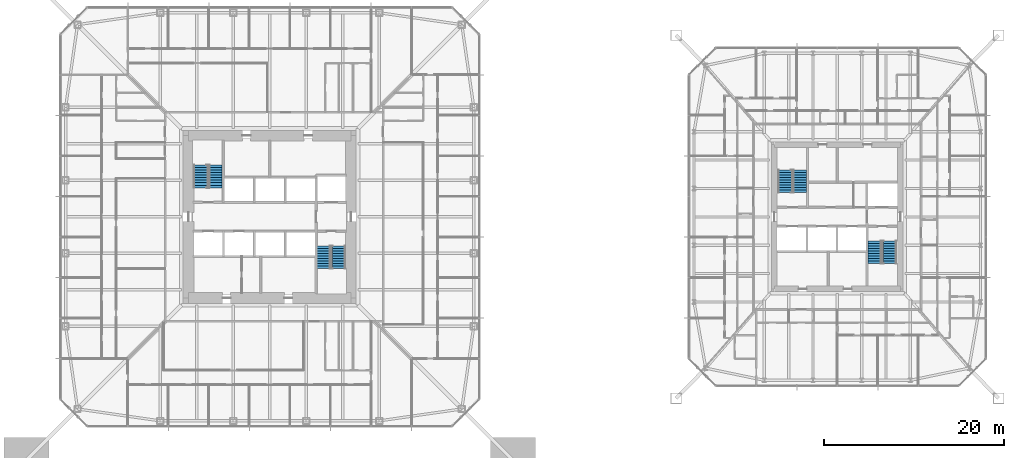
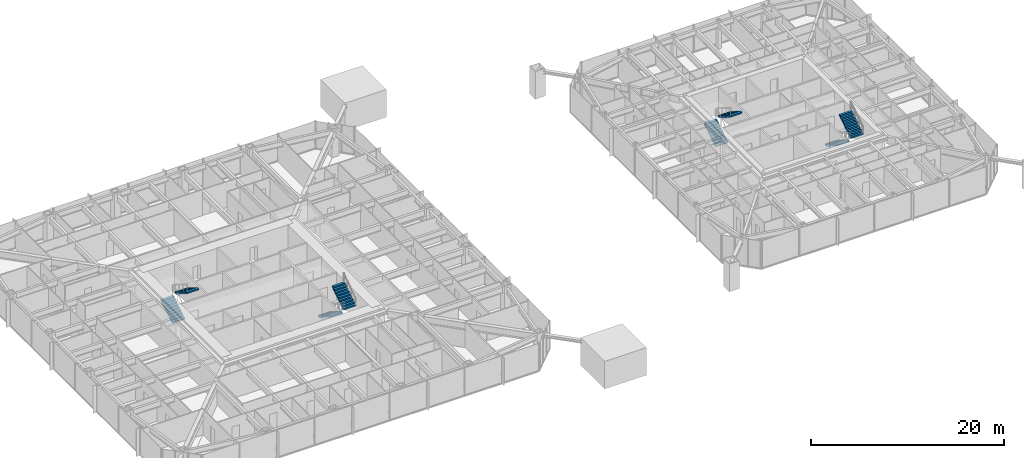
# One storey, part 22 of 26: 8 stair flights, 4 elements without a shape of their own.
"""IFC4 building model written with IfcOpenShell, lengths in metres."""

from ifc_helpers import new_model, si_unit, direction, frame, origin, place, context, subcontext, project, spatial, polyline, outline, extrude, material, constituent, constituent_set, type_object, element, aggregate, save


model = new_model("IFC4")

# Units and contexts
model_context = context("Model", 3, precision=1e-05, world=origin(), true_north=direction((0.0, 1.0)))
body_context = subcontext(model_context, "Body", "Model", "MODEL_VIEW")
ifc_project = project(units=[si_unit("LENGTHUNIT", "METRE"), si_unit("AREAUNIT", "SQUARE_METRE"), si_unit("VOLUMEUNIT", "CUBIC_METRE"), si_unit("PLANEANGLEUNIT", "RADIAN"), si_unit("MASSUNIT", "GRAM", prefix="KILO")], contexts=[model_context])

# Site, building, storey
site_placement = place(None, origin())
site = spatial("IfcSite", under=ifc_project, at=site_placement, CompositionType="ELEMENT")
building_placement = place(site_placement, origin())
building = spatial("IfcBuilding", under=site, at=building_placement, Name="Iwan Alto Co-Living Towers", CompositionType="ELEMENT")
storey_placement = place(building_placement, frame((0.0, 0.0, 29.0)))
storey = spatial("IfcBuildingStorey", under=building, at=storey_placement, Name="L07", CompositionType="ELEMENT", Elevation=29.0)

# Stair, stair flights
ifc_material_1 = material(Name="Steel ASTM A36", Category="steel")
ifc_constituent_1 = constituent(ifc_material_1, Name="Stringers", Category="LoadBearing")
ifc_material_2 = material(Name="Concrete f'c 30 MPa", Category="concrete")
ifc_constituent_2 = constituent(ifc_material_2, Name="Tread fill", Category="Finish")
ifc_constituent_set_1 = constituent_set(constituents=[ifc_constituent_1, ifc_constituent_2], Name="STAIR 3500 TWO-FLIGHT T1 CORE")
stair_type_1 = type_object("IfcStairType", Name="STAIR 3500 TWO-FLIGHT T1 CORE", PredefinedType="HALF_TURN_STAIR", material=ifc_constituent_set_1)
stair_1_placement = place(storey_placement, origin())
stair_1 = element("IfcStair", 1, at=stair_1_placement, inside=storey, type_object=stair_type_1, Name="Stair T1-S1 L07 to L08", PredefinedType="HALF_TURN_STAIR")
ifc_constituent_3 = constituent(ifc_material_1, Name="Stringers", Category="LoadBearing")
ifc_constituent_4 = constituent(ifc_material_2, Name="Tread fill", Category="Finish")
ifc_constituent_set_2 = constituent_set(constituents=[ifc_constituent_3, ifc_constituent_4], Name="STAIR FLIGHT 10 RISERS 280 GOING")
stair_flight_type = type_object("IfcStairFlightType", Name="STAIR FLIGHT 10 RISERS 280 GOING", PredefinedType="STRAIGHT", material=ifc_constituent_set_2)
stair_flight_1_placement = place(storey_placement, frame((-7.68994140625, 3.219970703125, 0.0), z_axis=(0.0, 0.0, 1.0), x_axis=(0.0, 1.0, 0.0)))
stair_flight_1 = element("IfcStairFlight", 2, at=stair_flight_1_placement, type_object=stair_flight_type, Name="T1-S1 flight 1", NumberOfRisers=10, NumberOfTreads=9, PredefinedType="STRAIGHT", RiserHeight=0.175, TreadLength=0.28, context=body_context, shape_type="SweptSolid", body=[
    extrude(outline(polyline([(0.0, 0.0), (0.0, 0.175048828125), (0.280029296875, 0.175048828125), (0.280029296875, 0.35009765625), (0.56005859375, 0.35009765625), (0.56005859375, 0.52490234375), (0.840087890625, 0.52490234375), (0.840087890625, 0.699951171875), (1.1201171875, 0.699951171875), (1.1201171875, 0.875), (1.39990234375, 0.875), (1.39990234375, 1.050048828125), (1.679931640625, 1.050048828125), (1.679931640625, 1.22509765625), (1.9599609375, 1.22509765625), (1.9599609375, 1.39990234375), (2.239990234375, 1.39990234375), (2.239990234375, 1.574951171875), (2.52001953125, 1.574951171875), (2.52001953125, 1.75), (2.52001953125, 1.398193359375), (0.28271484375, 0.0), (0.0, 0.0)])), frame((0.0, 0.739990234375, 0.0), z_axis=(0.0, -1.0, 0.0), x_axis=(1.0, 0.0, 0.0)), (0.0, 0.0, 1.0), 1.47998046875),
])
stair_flight_2_placement = place(storey_placement, frame((-6.010009765625, 5.739990234375, 1.75), z_axis=(0.0, 0.0, 1.0), x_axis=(0.0, -1.0, 0.0)))
stair_flight_2 = element("IfcStairFlight", 3, at=stair_flight_2_placement, type_object=stair_flight_type, Name="T1-S1 flight 2", NumberOfRisers=10, NumberOfTreads=9, PredefinedType="STRAIGHT", RiserHeight=0.175, TreadLength=0.28, context=body_context, shape_type="SweptSolid", body=[
    extrude(outline(polyline([(0.0, 0.0), (0.0, 0.175048828125), (0.280029296875, 0.175048828125), (0.280029296875, 0.35009765625), (0.56005859375, 0.35009765625), (0.56005859375, 0.52490234375), (0.840087890625, 0.52490234375), (0.840087890625, 0.699951171875), (1.1201171875, 0.699951171875), (1.1201171875, 0.875), (1.39990234375, 0.875), (1.39990234375, 1.050048828125), (1.679931640625, 1.050048828125), (1.679931640625, 1.22509765625), (1.9599609375, 1.22509765625), (1.9599609375, 1.39990234375), (2.239990234375, 1.39990234375), (2.239990234375, 1.574951171875), (2.52001953125, 1.574951171875), (2.52001953125, 1.75), (2.52001953125, 1.398193359375), (0.28271484375, 0.0), (0.0, 0.0)])), frame((0.0, 0.739990234375, 0.0), z_axis=(0.0, -1.0, 0.0), x_axis=(1.0, 0.0, 0.0)), (0.0, 0.0, 1.0), 1.47998046875),
])
aggregate(stair_1, [stair_flight_1, stair_flight_2])

stair_2_placement = place(storey_placement, origin())
stair_2 = element("IfcStair", 4, at=stair_2_placement, inside=storey, type_object=stair_type_1, Name="Stair T1-S2 L07 to L08", PredefinedType="HALF_TURN_STAIR")
stair_flight_3_placement = place(storey_placement, frame((6.010009765625, -3.219970703125, 0.0), z_axis=(0.0, 0.0, 1.0), x_axis=(0.0, -1.0, 0.0)))
stair_flight_3 = element("IfcStairFlight", 5, at=stair_flight_3_placement, type_object=stair_flight_type, Name="T1-S2 flight 1", NumberOfRisers=10, NumberOfTreads=9, PredefinedType="STRAIGHT", RiserHeight=0.175, TreadLength=0.28, context=body_context, shape_type="SweptSolid", body=[
    extrude(outline(polyline([(0.0, 0.0), (0.0, 0.175048828125), (0.280029296875, 0.175048828125), (0.280029296875, 0.35009765625), (0.56005859375, 0.35009765625), (0.56005859375, 0.52490234375), (0.840087890625, 0.52490234375), (0.840087890625, 0.699951171875), (1.1201171875, 0.699951171875), (1.1201171875, 0.875), (1.39990234375, 0.875), (1.39990234375, 1.050048828125), (1.679931640625, 1.050048828125), (1.679931640625, 1.22509765625), (1.9599609375, 1.22509765625), (1.9599609375, 1.39990234375), (2.239990234375, 1.39990234375), (2.239990234375, 1.574951171875), (2.52001953125, 1.574951171875), (2.52001953125, 1.75), (2.52001953125, 1.398193359375), (0.28271484375, 0.0), (0.0, 0.0)])), frame((0.0, 0.739990234375, 0.0), z_axis=(0.0, -1.0, 0.0), x_axis=(1.0, 0.0, 0.0)), (0.0, 0.0, 1.0), 1.47998046875),
])
stair_flight_4_placement = place(storey_placement, frame((7.68994140625, -5.739990234375, 1.75), z_axis=(0.0, 0.0, 1.0), x_axis=(0.0, 1.0, 0.0)))
stair_flight_4 = element("IfcStairFlight", 6, at=stair_flight_4_placement, type_object=stair_flight_type, Name="T1-S2 flight 2", NumberOfRisers=10, NumberOfTreads=9, PredefinedType="STRAIGHT", RiserHeight=0.175, TreadLength=0.28, context=body_context, shape_type="SweptSolid", body=[
    extrude(outline(polyline([(0.0, 0.0), (0.0, 0.175048828125), (0.280029296875, 0.175048828125), (0.280029296875, 0.35009765625), (0.56005859375, 0.35009765625), (0.56005859375, 0.52490234375), (0.840087890625, 0.52490234375), (0.840087890625, 0.699951171875), (1.1201171875, 0.699951171875), (1.1201171875, 0.875), (1.39990234375, 0.875), (1.39990234375, 1.050048828125), (1.679931640625, 1.050048828125), (1.679931640625, 1.22509765625), (1.9599609375, 1.22509765625), (1.9599609375, 1.39990234375), (2.239990234375, 1.39990234375), (2.239990234375, 1.574951171875), (2.52001953125, 1.574951171875), (2.52001953125, 1.75), (2.52001953125, 1.398193359375), (0.28271484375, 0.0), (0.0, 0.0)])), frame((0.0, 0.739990234375, 0.0), z_axis=(0.0, -1.0, 0.0), x_axis=(1.0, 0.0, 0.0)), (0.0, 0.0, 1.0), 1.47998046875),
])
aggregate(stair_2, [stair_flight_3, stair_flight_4])

ifc_constituent_5 = constituent(ifc_material_1, Name="Stringers", Category="LoadBearing")
ifc_constituent_6 = constituent(ifc_material_2, Name="Tread fill", Category="Finish")
ifc_constituent_set_3 = constituent_set(constituents=[ifc_constituent_5, ifc_constituent_6], Name="STAIR 3500 TWO-FLIGHT T2 CORE")
stair_type_2 = type_object("IfcStairType", Name="STAIR 3500 TWO-FLIGHT T2 CORE", PredefinedType="HALF_TURN_STAIR", material=ifc_constituent_set_3)
stair_3_placement = place(storey_placement, origin())
stair_3 = element("IfcStair", 7, at=stair_3_placement, inside=storey, type_object=stair_type_2, Name="Stair T2-S1 L07 to L08", PredefinedType="HALF_TURN_STAIR")
stair_flight_5_placement = place(storey_placement, frame((57.159912109375, 2.669921875, 0.0), z_axis=(0.0, 0.0, 1.0), x_axis=(0.0, 1.0, 0.0)))
stair_flight_5 = element("IfcStairFlight", 8, at=stair_flight_5_placement, type_object=stair_flight_type, Name="T2-S1 flight 1", NumberOfRisers=10, NumberOfTreads=9, PredefinedType="STRAIGHT", RiserHeight=0.175, TreadLength=0.28, context=body_context, shape_type="SweptSolid", body=[
    extrude(outline(polyline([(0.0, 0.0), (0.0, 0.175048828125), (0.280029296875, 0.175048828125), (0.280029296875, 0.35009765625), (0.56005859375, 0.35009765625), (0.56005859375, 0.52490234375), (0.840087890625, 0.52490234375), (0.840087890625, 0.699951171875), (1.1201171875, 0.699951171875), (1.1201171875, 0.875), (1.39990234375, 0.875), (1.39990234375, 1.050048828125), (1.679931640625, 1.050048828125), (1.679931640625, 1.22509765625), (1.9599609375, 1.22509765625), (1.9599609375, 1.39990234375), (2.239990234375, 1.39990234375), (2.239990234375, 1.574951171875), (2.52001953125, 1.574951171875), (2.52001953125, 1.75), (2.52001953125, 1.398193359375), (0.28271484375, 0.0), (0.0, 0.0)])), frame((0.0, 0.739990234375, 0.0), z_axis=(0.0, -1.0, 0.0), x_axis=(1.0, 0.0, 0.0)), (0.0, 0.0, 1.0), 1.47998046875),
])
stair_flight_6_placement = place(storey_placement, frame((58.840087890625, 5.18994140625, 1.75), z_axis=(0.0, 0.0, 1.0), x_axis=(0.0, -1.0, 0.0)))
stair_flight_6 = element("IfcStairFlight", 9, at=stair_flight_6_placement, type_object=stair_flight_type, Name="T2-S1 flight 2", NumberOfRisers=10, NumberOfTreads=9, PredefinedType="STRAIGHT", RiserHeight=0.175, TreadLength=0.28, context=body_context, shape_type="SweptSolid", body=[
    extrude(outline(polyline([(0.0, 0.0), (0.0, 0.175048828125), (0.280029296875, 0.175048828125), (0.280029296875, 0.35009765625), (0.56005859375, 0.35009765625), (0.56005859375, 0.52490234375), (0.840087890625, 0.52490234375), (0.840087890625, 0.699951171875), (1.1201171875, 0.699951171875), (1.1201171875, 0.875), (1.39990234375, 0.875), (1.39990234375, 1.050048828125), (1.679931640625, 1.050048828125), (1.679931640625, 1.22509765625), (1.9599609375, 1.22509765625), (1.9599609375, 1.39990234375), (2.239990234375, 1.39990234375), (2.239990234375, 1.574951171875), (2.52001953125, 1.574951171875), (2.52001953125, 1.75), (2.52001953125, 1.398193359375), (0.28271484375, 0.0), (0.0, 0.0)])), frame((0.0, 0.739990234375, 0.0), z_axis=(0.0, -1.0, 0.0), x_axis=(1.0, 0.0, 0.0)), (0.0, 0.0, 1.0), 1.47998046875),
])
aggregate(stair_3, [stair_flight_5, stair_flight_6])

stair_4_placement = place(storey_placement, origin())
stair_4 = element("IfcStair", 10, at=stair_4_placement, inside=storey, type_object=stair_type_2, Name="Stair T2-S2 L07 to L08", PredefinedType="HALF_TURN_STAIR")
stair_flight_7_placement = place(storey_placement, frame((67.159912109375, -2.669921875, 0.0), z_axis=(0.0, 0.0, 1.0), x_axis=(0.0, -1.0, 0.0)))
stair_flight_7 = element("IfcStairFlight", 11, at=stair_flight_7_placement, type_object=stair_flight_type, Name="T2-S2 flight 1", NumberOfRisers=10, NumberOfTreads=9, PredefinedType="STRAIGHT", RiserHeight=0.175, TreadLength=0.28, context=body_context, shape_type="SweptSolid", body=[
    extrude(outline(polyline([(0.0, 0.0), (0.0, 0.175048828125), (0.280029296875, 0.175048828125), (0.280029296875, 0.35009765625), (0.56005859375, 0.35009765625), (0.56005859375, 0.52490234375), (0.840087890625, 0.52490234375), (0.840087890625, 0.699951171875), (1.1201171875, 0.699951171875), (1.1201171875, 0.875), (1.39990234375, 0.875), (1.39990234375, 1.050048828125), (1.679931640625, 1.050048828125), (1.679931640625, 1.22509765625), (1.9599609375, 1.22509765625), (1.9599609375, 1.39990234375), (2.239990234375, 1.39990234375), (2.239990234375, 1.574951171875), (2.52001953125, 1.574951171875), (2.52001953125, 1.75), (2.52001953125, 1.398193359375), (0.28271484375, 0.0), (0.0, 0.0)])), frame((0.0, 0.739990234375, 0.0), z_axis=(0.0, -1.0, 0.0), x_axis=(1.0, 0.0, 0.0)), (0.0, 0.0, 1.0), 1.47998046875),
])
stair_flight_8_placement = place(storey_placement, frame((68.840087890625, -5.18994140625, 1.75), z_axis=(0.0, 0.0, 1.0), x_axis=(0.0, 1.0, 0.0)))
stair_flight_8 = element("IfcStairFlight", 12, at=stair_flight_8_placement, type_object=stair_flight_type, Name="T2-S2 flight 2", NumberOfRisers=10, NumberOfTreads=9, PredefinedType="STRAIGHT", RiserHeight=0.175, TreadLength=0.28, context=body_context, shape_type="SweptSolid", body=[
    extrude(outline(polyline([(0.0, 0.0), (0.0, 0.175048828125), (0.280029296875, 0.175048828125), (0.280029296875, 0.35009765625), (0.56005859375, 0.35009765625), (0.56005859375, 0.52490234375), (0.840087890625, 0.52490234375), (0.840087890625, 0.699951171875), (1.1201171875, 0.699951171875), (1.1201171875, 0.875), (1.39990234375, 0.875), (1.39990234375, 1.050048828125), (1.679931640625, 1.050048828125), (1.679931640625, 1.22509765625), (1.9599609375, 1.22509765625), (1.9599609375, 1.39990234375), (2.239990234375, 1.39990234375), (2.239990234375, 1.574951171875), (2.52001953125, 1.574951171875), (2.52001953125, 1.75), (2.52001953125, 1.398193359375), (0.28271484375, 0.0), (0.0, 0.0)])), frame((0.0, 0.739990234375, 0.0), z_axis=(0.0, -1.0, 0.0), x_axis=(1.0, 0.0, 0.0)), (0.0, 0.0, 1.0), 1.47998046875),
])
aggregate(stair_4, [stair_flight_7, stair_flight_8])

save(model, "model.ifc")
